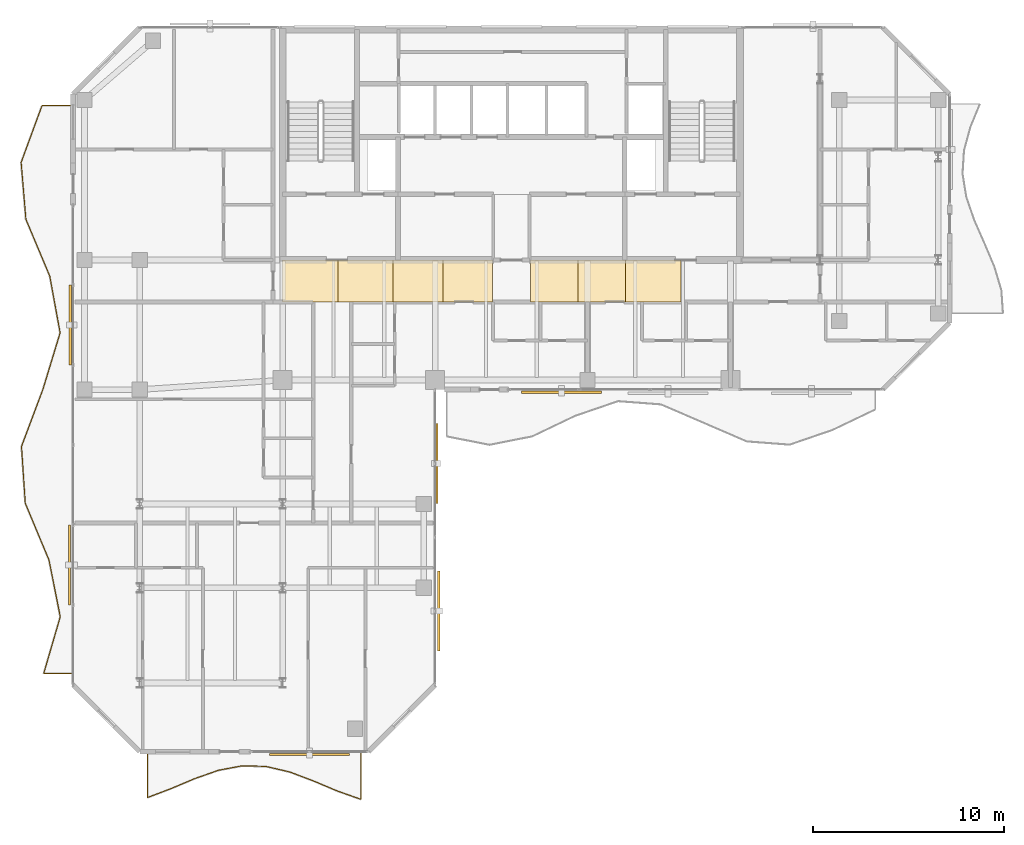
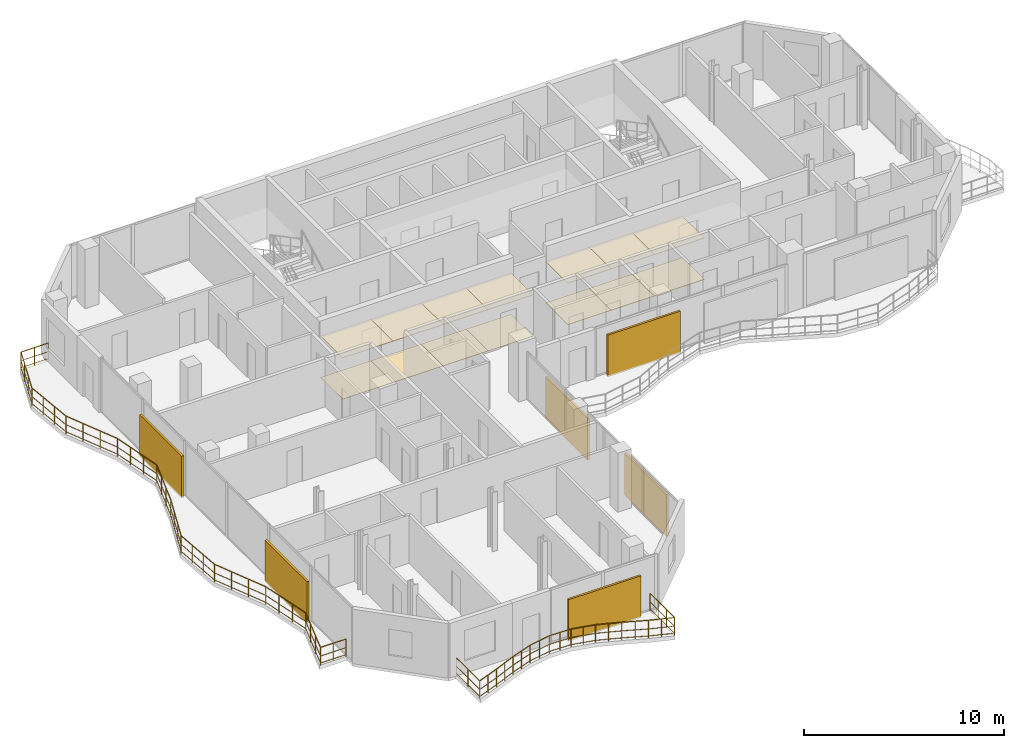
# One storey, part 22 of 24: 14 coverings, 6 shading devices, 2 railings.
"""IFC4 building model written with IfcOpenShell, lengths in metres."""

from ifc_helpers import new_model, si_unit, direction, frame, origin, origin_2d, place, context, subcontext, project, spatial, polyline, rectangle, circle, outline, extrude, material, layer, layer_set, type_object, element, save


model = new_model("IFC4")

# Units and contexts
model_context = context("Model", 3, precision=1e-05, world=origin(), true_north=direction((0.0, 1.0)))
body_context = subcontext(model_context, "Body", "Model", "MODEL_VIEW")
ifc_project = project(units=[si_unit("LENGTHUNIT", "METRE"), si_unit("AREAUNIT", "SQUARE_METRE"), si_unit("VOLUMEUNIT", "CUBIC_METRE"), si_unit("PLANEANGLEUNIT", "RADIAN"), si_unit("MASSUNIT", "GRAM", prefix="KILO")], contexts=[model_context])

# Site, building, storey
site_placement = place(None, origin())
site = spatial("IfcSite", under=ifc_project, at=site_placement, CompositionType="ELEMENT")
building_placement = place(site_placement, origin())
building = spatial("IfcBuilding", under=site, at=building_placement, Name="Catumbela Crestline Tower", CompositionType="ELEMENT")
storey_placement = place(building_placement, frame((0.0, 0.0, 157.8)))
storey = spatial("IfcBuildingStorey", under=building, at=storey_placement, Name="L40", CompositionType="ELEMENT", Elevation=157.8)

# Coverings
ifc_material_1 = material(Name="Mineral-fibre acoustic ceiling")
ifc_layer_1 = layer(ifc_material_1, 0.03, Name="Mineral-fibre acoustic ceiling")
ifc_layer_set_1 = layer_set([ifc_layer_1], Name="Mineral-fibre acoustic ceiling")
covering_type_1 = type_object("IfcCoveringType", Name="CC-AC", PredefinedType="CEILING", material=ifc_layer_set_1)
covering_1_placement = place(storey_placement, frame((0.0, 0.0, 2.52)))
element("IfcCovering", 1, at=covering_1_placement, inside=storey, type_object=covering_type_1, Name="L40 Corridor Acoustic Ceiling Bay 1", PredefinedType="CEILING", context=body_context, shape_type="SweptSolid", body=[
    extrude(outline(polyline([(16.0, 28.6), (18.9, 28.6), (18.9, 30.8), (16.0, 30.8), (16.0, 28.6)])), origin(), (0.0, 0.0, 1.0), 0.03),
])
covering_2_placement = place(storey_placement, frame((0.0, 0.0, 2.52)))
element("IfcCovering", 2, at=covering_2_placement, inside=storey, type_object=covering_type_1, Name="L40 Corridor Acoustic Ceiling Bay 2", PredefinedType="CEILING", context=body_context, shape_type="SweptSolid", body=[
    extrude(outline(polyline([(18.9, 28.6), (21.8, 28.6), (21.8, 30.8), (18.9, 30.8), (18.9, 28.6)])), origin(), (0.0, 0.0, 1.0), 0.03),
])
covering_3_placement = place(storey_placement, frame((0.0, 0.0, 2.52)))
element("IfcCovering", 3, at=covering_3_placement, inside=storey, type_object=covering_type_1, Name="L40 Corridor Acoustic Ceiling Bay 3", PredefinedType="CEILING", context=body_context, shape_type="SweptSolid", body=[
    extrude(outline(polyline([(21.8, 28.6), (24.4, 28.6), (24.4, 30.8), (21.8, 30.8), (21.8, 28.6)])), origin(), (0.0, 0.0, 1.0), 0.03),
])
covering_4_placement = place(storey_placement, frame((0.0, 0.0, 2.52)))
element("IfcCovering", 4, at=covering_4_placement, inside=storey, type_object=covering_type_1, Name="L40 Corridor Acoustic Ceiling Bay 4", PredefinedType="CEILING", context=body_context, shape_type="SweptSolid", body=[
    extrude(outline(polyline([(24.4, 28.6), (27.0, 28.6), (27.0, 30.8), (24.4, 30.8), (24.4, 28.6)])), origin(), (0.0, 0.0, 1.0), 0.03),
])
covering_5_placement = place(storey_placement, frame((0.0, 0.0, 2.52)))
element("IfcCovering", 5, at=covering_5_placement, inside=storey, type_object=covering_type_1, Name="L40 Corridor Acoustic Ceiling Bay 5", PredefinedType="CEILING", context=body_context, shape_type="SweptSolid", body=[
    extrude(outline(polyline([(29.0, 28.6), (31.5, 28.6), (31.5, 30.8), (29.0, 30.8), (29.0, 28.6)])), origin(), (0.0, 0.0, 1.0), 0.03),
])
covering_6_placement = place(storey_placement, frame((0.0, 0.0, 2.52)))
element("IfcCovering", 6, at=covering_6_placement, inside=storey, type_object=covering_type_1, Name="L40 Corridor Acoustic Ceiling Bay 6", PredefinedType="CEILING", context=body_context, shape_type="SweptSolid", body=[
    extrude(outline(polyline([(31.5, 28.6), (34.0, 28.6), (34.0, 30.8), (31.5, 30.8), (31.5, 28.6)])), origin(), (0.0, 0.0, 1.0), 0.03),
])
covering_7_placement = place(storey_placement, frame((0.0, 0.0, 2.52)))
element("IfcCovering", 7, at=covering_7_placement, inside=storey, type_object=covering_type_1, Name="L40 Corridor Acoustic Ceiling Bay 7", PredefinedType="CEILING", context=body_context, shape_type="SweptSolid", body=[
    extrude(outline(polyline([(34.0, 28.6), (36.9, 28.6), (36.9, 30.8), (34.0, 30.8), (34.0, 28.6)])), origin(), (0.0, 0.0, 1.0), 0.03),
])
ifc_material_2 = material(Name="Angolan grey-ochre granite", Category="masonry")
ifc_layer_2 = layer(ifc_material_2, 0.025, Name="Angolan grey-ochre granite")
ifc_layer_set_2 = layer_set([ifc_layer_2], Name="Angolan grey-ochre granite")
covering_type_2 = type_object("IfcCoveringType", Name="CF-GR", PredefinedType="FLOORING", material=ifc_layer_set_2)
covering_8_placement = place(storey_placement, origin())
element("IfcCovering", 8, at=covering_8_placement, inside=storey, type_object=covering_type_2, Name="L40 Corridor Granite Flooring Bay 1", PredefinedType="FLOORING", context=body_context, shape_type="SweptSolid", body=[
    extrude(outline(polyline([(16.0, 28.6), (18.9, 28.6), (18.9, 30.8), (16.0, 30.8), (16.0, 28.6)])), origin(), (0.0, 0.0, 1.0), 0.025),
])
covering_9_placement = place(storey_placement, origin())
element("IfcCovering", 9, at=covering_9_placement, inside=storey, type_object=covering_type_2, Name="L40 Corridor Granite Flooring Bay 2", PredefinedType="FLOORING", context=body_context, shape_type="SweptSolid", body=[
    extrude(outline(polyline([(18.9, 28.6), (21.8, 28.6), (21.8, 30.8), (18.9, 30.8), (18.9, 28.6)])), origin(), (0.0, 0.0, 1.0), 0.025),
])
covering_10_placement = place(storey_placement, origin())
element("IfcCovering", 10, at=covering_10_placement, inside=storey, type_object=covering_type_2, Name="L40 Corridor Granite Flooring Bay 3", PredefinedType="FLOORING", context=body_context, shape_type="SweptSolid", body=[
    extrude(outline(polyline([(21.8, 28.6), (24.4, 28.6), (24.4, 30.8), (21.8, 30.8), (21.8, 28.6)])), origin(), (0.0, 0.0, 1.0), 0.025),
])
covering_11_placement = place(storey_placement, origin())
element("IfcCovering", 11, at=covering_11_placement, inside=storey, type_object=covering_type_2, Name="L40 Corridor Granite Flooring Bay 4", PredefinedType="FLOORING", context=body_context, shape_type="SweptSolid", body=[
    extrude(outline(polyline([(24.4, 28.6), (27.0, 28.6), (27.0, 30.8), (24.4, 30.8), (24.4, 28.6)])), origin(), (0.0, 0.0, 1.0), 0.025),
])
covering_12_placement = place(storey_placement, origin())
element("IfcCovering", 12, at=covering_12_placement, inside=storey, type_object=covering_type_2, Name="L40 Corridor Granite Flooring Bay 5", PredefinedType="FLOORING", context=body_context, shape_type="SweptSolid", body=[
    extrude(outline(polyline([(29.0, 28.6), (31.5, 28.6), (31.5, 30.8), (29.0, 30.8), (29.0, 28.6)])), origin(), (0.0, 0.0, 1.0), 0.025),
])
covering_13_placement = place(storey_placement, origin())
element("IfcCovering", 13, at=covering_13_placement, inside=storey, type_object=covering_type_2, Name="L40 Corridor Granite Flooring Bay 6", PredefinedType="FLOORING", context=body_context, shape_type="SweptSolid", body=[
    extrude(outline(polyline([(31.5, 28.6), (34.0, 28.6), (34.0, 30.8), (31.5, 30.8), (31.5, 28.6)])), origin(), (0.0, 0.0, 1.0), 0.025),
])
covering_14_placement = place(storey_placement, origin())
element("IfcCovering", 14, at=covering_14_placement, inside=storey, type_object=covering_type_2, Name="L40 Corridor Granite Flooring Bay 7", PredefinedType="FLOORING", context=body_context, shape_type="SweptSolid", body=[
    extrude(outline(polyline([(34.0, 28.6), (36.9, 28.6), (36.9, 30.8), (34.0, 30.8), (34.0, 28.6)])), origin(), (0.0, 0.0, 1.0), 0.025),
])

# Railings
ifc_material_3 = material(Name="Stainless steel EN 1.4401", Category="steel")
railing_type = type_object("IfcRailingType", Name="RB-1100", PredefinedType="BALUSTRADE", material=ifc_material_3)
railing_1_placement = place(storey_placement, frame((8.9, 4.94, 0.0)))
element("IfcRailing", 15, at=railing_1_placement, inside=storey, type_object=railing_type, Name="L40 Private Wave Balcony Balustrade 3", PredefinedType="BALUSTRADE", context=body_context, shape_type="SweptSolid", body=[
    extrude(circle(Radius=0.024, at=origin_2d()), frame((0.0, 0.0, 1.076), z_axis=(0.0, -1.0, 0.0), x_axis=(1.0, 0.0, 0.0)), (0.0, 0.0, 1.0), 2.3474),
    extrude(circle(Radius=0.0156, at=origin_2d()), frame((0.0, 0.0, 0.55), z_axis=(0.0, -1.0, 0.0), x_axis=(1.0, 0.0, 0.0)), (0.0, 0.0, 1.0), 2.3474),
    extrude(circle(Radius=0.0156, at=origin_2d()), frame((0.0, 0.0, 0.12), z_axis=(0.0, -1.0, 0.0), x_axis=(1.0, 0.0, 0.0)), (0.0, 0.0, 1.0), 2.3474),
    extrude(circle(Radius=0.024, at=origin_2d()), frame((0.0, -2.3474, 1.076), z_axis=(0.934801539035, 0.355170497955, 0.0), x_axis=(-0.355170497955, 0.934801539035, 0.0)), (0.0, 0.0, 1.0), 1.3312),
    extrude(circle(Radius=0.0156, at=origin_2d()), frame((0.0, -2.3474, 0.55), z_axis=(0.934801539035, 0.355170497955, 0.0), x_axis=(-0.355170497955, 0.934801539035, 0.0)), (0.0, 0.0, 1.0), 1.3312),
    extrude(circle(Radius=0.0156, at=origin_2d()), frame((0.0, -2.3474, 0.12), z_axis=(0.934801539035, 0.355170497955, 0.0), x_axis=(-0.355170497955, 0.934801539035, 0.0)), (0.0, 0.0, 1.0), 1.3312),
    extrude(circle(Radius=0.024, at=origin_2d()), frame((1.2444, -1.8746, 1.076), z_axis=(0.921529408365, 0.388308575128, 0.0), x_axis=(-0.388308575128, 0.921529408365, 0.0)), (0.0, 0.0, 1.0), 1.3505),
    extrude(circle(Radius=0.0156, at=origin_2d()), frame((1.2444, -1.8746, 0.55), z_axis=(0.921529408365, 0.388308575128, 0.0), x_axis=(-0.388308575128, 0.921529408365, 0.0)), (0.0, 0.0, 1.0), 1.3505),
    extrude(circle(Radius=0.0156, at=origin_2d()), frame((1.2444, -1.8746, 0.12), z_axis=(0.921529408365, 0.388308575128, 0.0), x_axis=(-0.388308575128, 0.921529408365, 0.0)), (0.0, 0.0, 1.0), 1.3505),
    extrude(circle(Radius=0.024, at=origin_2d()), frame((2.4889, -1.3502, 1.076), z_axis=(0.943536380972, 0.331268920642, 0.0), x_axis=(-0.331268920642, 0.943536380972, 0.0)), (0.0, 0.0, 1.0), 1.3189),
    extrude(circle(Radius=0.0156, at=origin_2d()), frame((2.4889, -1.3502, 0.55), z_axis=(0.943536380972, 0.331268920642, 0.0), x_axis=(-0.331268920642, 0.943536380972, 0.0)), (0.0, 0.0, 1.0), 1.3189),
    extrude(circle(Radius=0.0156, at=origin_2d()), frame((2.4889, -1.3502, 0.12), z_axis=(0.943536380972, 0.331268920642, 0.0), x_axis=(-0.331268920642, 0.943536380972, 0.0)), (0.0, 0.0, 1.0), 1.3189),
    extrude(circle(Radius=0.024, at=origin_2d()), frame((3.7333, -0.9133, 1.076), z_axis=(0.982892745139, 0.184178857506, 0.0), x_axis=(-0.184178857506, 0.982892745139, 0.0)), (0.0, 0.0, 1.0), 1.2662),
    extrude(circle(Radius=0.0156, at=origin_2d()), frame((3.7333, -0.9133, 0.55), z_axis=(0.982892745139, 0.184178857506, 0.0), x_axis=(-0.184178857506, 0.982892745139, 0.0)), (0.0, 0.0, 1.0), 1.2662),
    extrude(circle(Radius=0.0156, at=origin_2d()), frame((3.7333, -0.9133, 0.12), z_axis=(0.982892745139, 0.184178857506, 0.0), x_axis=(-0.184178857506, 0.982892745139, 0.0)), (0.0, 0.0, 1.0), 1.2662),
    extrude(circle(Radius=0.024, at=origin_2d()), frame((4.9778, -0.6801, 1.076), z_axis=(0.999661218817, -0.026027823441, 0.0), x_axis=(0.026027823441, 0.999661218817, 0.0)), (0.0, 0.0, 1.0), 1.2448),
    extrude(circle(Radius=0.0156, at=origin_2d()), frame((4.9778, -0.6801, 0.55), z_axis=(0.999661218817, -0.026027823441, 0.0), x_axis=(0.026027823441, 0.999661218817, 0.0)), (0.0, 0.0, 1.0), 1.2448),
    extrude(circle(Radius=0.0156, at=origin_2d()), frame((4.9778, -0.6801, 0.12), z_axis=(0.999661218817, -0.026027823441, 0.0), x_axis=(0.026027823441, 0.999661218817, 0.0)), (0.0, 0.0, 1.0), 1.2448),
    extrude(circle(Radius=0.024, at=origin_2d()), frame((6.2222, -0.7125, 1.076), z_axis=(0.974011239471, -0.226499680758, 0.0), x_axis=(0.226499680758, 0.974011239471, 0.0)), (0.0, 0.0, 1.0), 1.2777),
    extrude(circle(Radius=0.0156, at=origin_2d()), frame((6.2222, -0.7125, 0.55), z_axis=(0.974011239471, -0.226499680758, 0.0), x_axis=(0.226499680758, 0.974011239471, 0.0)), (0.0, 0.0, 1.0), 1.2777),
    extrude(circle(Radius=0.0156, at=origin_2d()), frame((6.2222, -0.7125, 0.12), z_axis=(0.974011239471, -0.226499680758, 0.0), x_axis=(0.226499680758, 0.974011239471, 0.0)), (0.0, 0.0, 1.0), 1.2777),
    extrude(circle(Radius=0.024, at=origin_2d()), frame((7.4667, -1.0019, 1.076), z_axis=(0.935622804223, -0.35300137141, 0.0), x_axis=(0.35300137141, 0.935622804223, 0.0)), (0.0, 0.0, 1.0), 1.33),
    extrude(circle(Radius=0.0156, at=origin_2d()), frame((7.4667, -1.0019, 0.55), z_axis=(0.935622804223, -0.35300137141, 0.0), x_axis=(0.35300137141, 0.935622804223, 0.0)), (0.0, 0.0, 1.0), 1.33),
    extrude(circle(Radius=0.0156, at=origin_2d()), frame((7.4667, -1.0019, 0.12), z_axis=(0.935622804223, -0.35300137141, 0.0), x_axis=(0.35300137141, 0.935622804223, 0.0)), (0.0, 0.0, 1.0), 1.33),
    extrude(circle(Radius=0.024, at=origin_2d()), frame((8.7111, -1.4714, 1.076), z_axis=(0.921396887645, -0.388622921916, 0.0), x_axis=(0.388622921916, 0.921396887645, 0.0)), (0.0, 0.0, 1.0), 1.3507),
    extrude(circle(Radius=0.0156, at=origin_2d()), frame((8.7111, -1.4714, 0.55), z_axis=(0.921396887645, -0.388622921916, 0.0), x_axis=(0.388622921916, 0.921396887645, 0.0)), (0.0, 0.0, 1.0), 1.3507),
    extrude(circle(Radius=0.0156, at=origin_2d()), frame((8.7111, -1.4714, 0.12), z_axis=(0.921396887645, -0.388622921916, 0.0), x_axis=(0.388622921916, 0.921396887645, 0.0)), (0.0, 0.0, 1.0), 1.3507),
    extrude(circle(Radius=0.024, at=origin_2d()), frame((9.9556, -1.9963, 1.076), z_axis=(0.94258550336, -0.333964921594, 0.0), x_axis=(0.333964921594, 0.94258550336, 0.0)), (0.0, 0.0, 1.0), 1.3202),
    extrude(circle(Radius=0.0156, at=origin_2d()), frame((9.9556, -1.9963, 0.55), z_axis=(0.94258550336, -0.333964921594, 0.0), x_axis=(0.333964921594, 0.94258550336, 0.0)), (0.0, 0.0, 1.0), 1.3202),
    extrude(circle(Radius=0.0156, at=origin_2d()), frame((9.9556, -1.9963, 0.12), z_axis=(0.94258550336, -0.333964921594, 0.0), x_axis=(0.333964921594, 0.94258550336, 0.0)), (0.0, 0.0, 1.0), 1.3202),
    extrude(circle(Radius=0.024, at=origin_2d()), frame((11.2, -2.4372, 1.076), z_axis=(0.0, 1.0, 0.0), x_axis=(-1.0, 0.0, 0.0)), (0.0, 0.0, 1.0), 2.4372),
    extrude(circle(Radius=0.0156, at=origin_2d()), frame((11.2, -2.4372, 0.55), z_axis=(0.0, 1.0, 0.0), x_axis=(-1.0, 0.0, 0.0)), (0.0, 0.0, 1.0), 2.4372),
    extrude(circle(Radius=0.0156, at=origin_2d()), frame((11.2, -2.4372, 0.12), z_axis=(0.0, 1.0, 0.0), x_axis=(-1.0, 0.0, 0.0)), (0.0, 0.0, 1.0), 2.4372),
    extrude(circle(Radius=0.021, at=origin_2d()), origin(), (0.0, 0.0, 1.0), 1.052),
    extrude(circle(Radius=0.021, at=origin_2d()), frame((0.0, -1.1737, 0.0)), (0.0, 0.0, 1.0), 1.052),
    extrude(circle(Radius=0.021, at=origin_2d()), frame((0.0, -2.3474, 0.0)), (0.0, 0.0, 1.0), 1.052),
    extrude(circle(Radius=0.021, at=origin_2d()), frame((0.6222, -2.111, 0.0)), (0.0, 0.0, 1.0), 1.052),
    extrude(circle(Radius=0.021, at=origin_2d()), frame((1.2444, -1.8746, 0.0)), (0.0, 0.0, 1.0), 1.052),
    extrude(circle(Radius=0.021, at=origin_2d()), frame((1.8666, -1.6124, 0.0)), (0.0, 0.0, 1.0), 1.052),
    extrude(circle(Radius=0.021, at=origin_2d()), frame((2.4889, -1.3502, 0.0)), (0.0, 0.0, 1.0), 1.052),
    extrude(circle(Radius=0.021, at=origin_2d()), frame((3.1111, -1.1318, 0.0)), (0.0, 0.0, 1.0), 1.052),
    extrude(circle(Radius=0.021, at=origin_2d()), frame((3.7333, -0.9133, 0.0)), (0.0, 0.0, 1.0), 1.052),
    extrude(circle(Radius=0.021, at=origin_2d()), frame((4.3556, -0.7967, 0.0)), (0.0, 0.0, 1.0), 1.052),
    extrude(circle(Radius=0.021, at=origin_2d()), frame((4.9778, -0.6801, 0.0)), (0.0, 0.0, 1.0), 1.052),
    extrude(circle(Radius=0.021, at=origin_2d()), frame((5.6, -0.6963, 0.0)), (0.0, 0.0, 1.0), 1.052),
    extrude(circle(Radius=0.021, at=origin_2d()), frame((6.2222, -0.7125, 0.0)), (0.0, 0.0, 1.0), 1.052),
    extrude(circle(Radius=0.021, at=origin_2d()), frame((6.8444, -0.8572, 0.0)), (0.0, 0.0, 1.0), 1.052),
    extrude(circle(Radius=0.021, at=origin_2d()), frame((7.4667, -1.0019, 0.0)), (0.0, 0.0, 1.0), 1.052),
    extrude(circle(Radius=0.021, at=origin_2d()), frame((8.0889, -1.2367, 0.0)), (0.0, 0.0, 1.0), 1.052),
    extrude(circle(Radius=0.021, at=origin_2d()), frame((8.7111, -1.4714, 0.0)), (0.0, 0.0, 1.0), 1.052),
    extrude(circle(Radius=0.021, at=origin_2d()), frame((9.3334, -1.7339, 0.0)), (0.0, 0.0, 1.0), 1.052),
    extrude(circle(Radius=0.021, at=origin_2d()), frame((9.9556, -1.9963, 0.0)), (0.0, 0.0, 1.0), 1.052),
    extrude(circle(Radius=0.021, at=origin_2d()), frame((10.5778, -2.2168, 0.0)), (0.0, 0.0, 1.0), 1.052),
    extrude(circle(Radius=0.021, at=origin_2d()), frame((11.2, -2.4372, 0.0)), (0.0, 0.0, 1.0), 1.052),
    extrude(circle(Radius=0.021, at=origin_2d()), frame((11.2, -1.6248, 0.0)), (0.0, 0.0, 1.0), 1.052),
    extrude(circle(Radius=0.021, at=origin_2d()), frame((11.2, -0.8124, 0.0)), (0.0, 0.0, 1.0), 1.052),
    extrude(circle(Radius=0.021, at=origin_2d()), frame((11.2, 0.0, 0.0)), (0.0, 0.0, 1.0), 1.052),
])
railing_2_placement = place(storey_placement, frame((4.94, 38.9, 0.0)))
element("IfcRailing", 16, at=railing_2_placement, inside=storey, type_object=railing_type, Name="L40 Private Wave Balcony Balustrade 4", PredefinedType="BALUSTRADE", context=body_context, shape_type="SweptSolid", body=[
    extrude(circle(Radius=0.024, at=origin_2d()), frame((0.0, 0.0, 1.076), z_axis=(-1.0, 0.0, 0.0), x_axis=(0.0, -1.0, 0.0)), (0.0, 0.0, 1.0), 1.569),
    extrude(circle(Radius=0.0156, at=origin_2d()), frame((0.0, 0.0, 0.55), z_axis=(-1.0, 0.0, 0.0), x_axis=(0.0, -1.0, 0.0)), (0.0, 0.0, 1.0), 1.569),
    extrude(circle(Radius=0.0156, at=origin_2d()), frame((0.0, 0.0, 0.12), z_axis=(-1.0, 0.0, 0.0), x_axis=(0.0, -1.0, 0.0)), (0.0, 0.0, 1.0), 1.569),
    extrude(circle(Radius=0.024, at=origin_2d()), frame((-1.569, 0.0, 1.076), z_axis=(-0.344819161889, -0.938669135316, 0.0), x_axis=(0.938669135316, -0.344819161889, 0.0)), (0.0, 0.0, 1.0), 3.1747),
    extrude(circle(Radius=0.0156, at=origin_2d()), frame((-1.569, 0.0, 0.55), z_axis=(-0.344819161889, -0.938669135316, 0.0), x_axis=(0.938669135316, -0.344819161889, 0.0)), (0.0, 0.0, 1.0), 3.1747),
    extrude(circle(Radius=0.0156, at=origin_2d()), frame((-1.569, 0.0, 0.12), z_axis=(-0.344819161889, -0.938669135316, 0.0), x_axis=(0.938669135316, -0.344819161889, 0.0)), (0.0, 0.0, 1.0), 3.1747),
    extrude(circle(Radius=0.024, at=origin_2d()), frame((-2.6637, -2.98, 1.076), z_axis=(0.083300085581, -0.99652450835, 0.0), x_axis=(0.99652450835, 0.083300085581, 0.0)), (0.0, 0.0, 1.0), 2.9904),
    extrude(circle(Radius=0.0156, at=origin_2d()), frame((-2.6637, -2.98, 0.55), z_axis=(0.083300085581, -0.99652450835, 0.0), x_axis=(0.99652450835, 0.083300085581, 0.0)), (0.0, 0.0, 1.0), 2.9904),
    extrude(circle(Radius=0.0156, at=origin_2d()), frame((-2.6637, -2.98, 0.12), z_axis=(0.083300085581, -0.99652450835, 0.0), x_axis=(0.99652450835, 0.083300085581, 0.0)), (0.0, 0.0, 1.0), 2.9904),
    extrude(circle(Radius=0.024, at=origin_2d()), frame((-2.4146, -5.96, 1.076), z_axis=(0.387495434342, -0.921871622496, 0.0), x_axis=(0.921871622496, 0.387495434342, 0.0)), (0.0, 0.0, 1.0), 3.2326),
    extrude(circle(Radius=0.0156, at=origin_2d()), frame((-2.4146, -5.96, 0.55), z_axis=(0.387495434342, -0.921871622496, 0.0), x_axis=(0.921871622496, 0.387495434342, 0.0)), (0.0, 0.0, 1.0), 3.2326),
    extrude(circle(Radius=0.0156, at=origin_2d()), frame((-2.4146, -5.96, 0.12), z_axis=(0.387495434342, -0.921871622496, 0.0), x_axis=(0.921871622496, 0.387495434342, 0.0)), (0.0, 0.0, 1.0), 3.2326),
    extrude(circle(Radius=0.024, at=origin_2d()), frame((-1.162, -8.94, 1.076), z_axis=(0.179902036769, -0.983684531324, 0.0), x_axis=(0.983684531324, 0.179902036769, 0.0)), (0.0, 0.0, 1.0), 3.0294),
    extrude(circle(Radius=0.0156, at=origin_2d()), frame((-1.162, -8.94, 0.55), z_axis=(0.179902036769, -0.983684531324, 0.0), x_axis=(0.983684531324, 0.179902036769, 0.0)), (0.0, 0.0, 1.0), 3.0294),
    extrude(circle(Radius=0.0156, at=origin_2d()), frame((-1.162, -8.94, 0.12), z_axis=(0.179902036769, -0.983684531324, 0.0), x_axis=(0.983684531324, 0.179902036769, 0.0)), (0.0, 0.0, 1.0), 3.0294),
    extrude(circle(Radius=0.024, at=origin_2d()), frame((-0.617, -11.92, 1.076), z_axis=(-0.291203771148, -0.95666104952, 0.0), x_axis=(0.95666104952, -0.291203771148, 0.0)), (0.0, 0.0, 1.0), 3.115),
    extrude(circle(Radius=0.0156, at=origin_2d()), frame((-0.617, -11.92, 0.55), z_axis=(-0.291203771148, -0.95666104952, 0.0), x_axis=(0.95666104952, -0.291203771148, 0.0)), (0.0, 0.0, 1.0), 3.115),
    extrude(circle(Radius=0.0156, at=origin_2d()), frame((-0.617, -11.92, 0.12), z_axis=(-0.291203771148, -0.95666104952, 0.0), x_axis=(0.95666104952, -0.291203771148, 0.0)), (0.0, 0.0, 1.0), 3.115),
    extrude(circle(Radius=0.024, at=origin_2d()), frame((-1.5241, -14.9, 1.076), z_axis=(-0.35183934725, -0.936060400683, 0.0), x_axis=(0.936060400683, -0.35183934725, 0.0)), (0.0, 0.0, 1.0), 3.1836),
    extrude(circle(Radius=0.0156, at=origin_2d()), frame((-1.5241, -14.9, 0.55), z_axis=(-0.35183934725, -0.936060400683, 0.0), x_axis=(0.936060400683, -0.35183934725, 0.0)), (0.0, 0.0, 1.0), 3.1836),
    extrude(circle(Radius=0.0156, at=origin_2d()), frame((-1.5241, -14.9, 0.12), z_axis=(-0.35183934725, -0.936060400683, 0.0), x_axis=(0.936060400683, -0.35183934725, 0.0)), (0.0, 0.0, 1.0), 3.1836),
    extrude(circle(Radius=0.024, at=origin_2d()), frame((-2.6442, -17.88, 1.076), z_axis=(0.065996741667, -0.997819838493, 0.0), x_axis=(0.997819838493, 0.065996741667, 0.0)), (0.0, 0.0, 1.0), 2.9865),
    extrude(circle(Radius=0.0156, at=origin_2d()), frame((-2.6442, -17.88, 0.55), z_axis=(0.065996741667, -0.997819838493, 0.0), x_axis=(0.997819838493, 0.065996741667, 0.0)), (0.0, 0.0, 1.0), 2.9865),
    extrude(circle(Radius=0.0156, at=origin_2d()), frame((-2.6442, -17.88, 0.12), z_axis=(0.065996741667, -0.997819838493, 0.0), x_axis=(0.997819838493, 0.065996741667, 0.0)), (0.0, 0.0, 1.0), 2.9865),
    extrude(circle(Radius=0.024, at=origin_2d()), frame((-2.4471, -20.86, 1.076), z_axis=(0.385494644626, -0.922710073081, 0.0), x_axis=(0.922710073081, 0.385494644626, 0.0)), (0.0, 0.0, 1.0), 3.2296),
    extrude(circle(Radius=0.0156, at=origin_2d()), frame((-2.4471, -20.86, 0.55), z_axis=(0.385494644626, -0.922710073081, 0.0), x_axis=(0.922710073081, 0.385494644626, 0.0)), (0.0, 0.0, 1.0), 3.2296),
    extrude(circle(Radius=0.0156, at=origin_2d()), frame((-2.4471, -20.86, 0.12), z_axis=(0.385494644626, -0.922710073081, 0.0), x_axis=(0.922710073081, 0.385494644626, 0.0)), (0.0, 0.0, 1.0), 3.2296),
    extrude(circle(Radius=0.024, at=origin_2d()), frame((-1.2021, -23.84, 1.076), z_axis=(0.194913381251, -0.980820459518, 0.0), x_axis=(0.980820459518, 0.194913381251, 0.0)), (0.0, 0.0, 1.0), 3.0383),
    extrude(circle(Radius=0.0156, at=origin_2d()), frame((-1.2021, -23.84, 0.55), z_axis=(0.194913381251, -0.980820459518, 0.0), x_axis=(0.980820459518, 0.194913381251, 0.0)), (0.0, 0.0, 1.0), 3.0383),
    extrude(circle(Radius=0.0156, at=origin_2d()), frame((-1.2021, -23.84, 0.12), z_axis=(0.194913381251, -0.980820459518, 0.0), x_axis=(0.980820459518, 0.194913381251, 0.0)), (0.0, 0.0, 1.0), 3.0383),
    extrude(circle(Radius=0.024, at=origin_2d()), frame((-0.6099, -26.82, 1.076), z_axis=(-0.280128645342, -0.959962469089, 0.0), x_axis=(0.959962469089, -0.280128645342, 0.0)), (0.0, 0.0, 1.0), 3.1043),
    extrude(circle(Radius=0.0156, at=origin_2d()), frame((-0.6099, -26.82, 0.55), z_axis=(-0.280128645342, -0.959962469089, 0.0), x_axis=(0.959962469089, -0.280128645342, 0.0)), (0.0, 0.0, 1.0), 3.1043),
    extrude(circle(Radius=0.0156, at=origin_2d()), frame((-0.6099, -26.82, 0.12), z_axis=(-0.280128645342, -0.959962469089, 0.0), x_axis=(0.959962469089, -0.280128645342, 0.0)), (0.0, 0.0, 1.0), 3.1043),
    extrude(circle(Radius=0.024, at=origin_2d()), frame((-1.4795, -29.8, 1.076), z_axis=(1.0, 0.0, 0.0), x_axis=(0.0, 1.0, 0.0)), (0.0, 0.0, 1.0), 1.4795),
    extrude(circle(Radius=0.0156, at=origin_2d()), frame((-1.4795, -29.8, 0.55), z_axis=(1.0, 0.0, 0.0), x_axis=(0.0, 1.0, 0.0)), (0.0, 0.0, 1.0), 1.4795),
    extrude(circle(Radius=0.0156, at=origin_2d()), frame((-1.4795, -29.8, 0.12), z_axis=(1.0, 0.0, 0.0), x_axis=(0.0, 1.0, 0.0)), (0.0, 0.0, 1.0), 1.4795),
    extrude(circle(Radius=0.021, at=origin_2d()), origin(), (0.0, 0.0, 1.0), 1.052),
    extrude(circle(Radius=0.021, at=origin_2d()), frame((-0.7845, 0.0, 0.0)), (0.0, 0.0, 1.0), 1.052),
    extrude(circle(Radius=0.021, at=origin_2d()), frame((-1.569, 0.0, 0.0)), (0.0, 0.0, 1.0), 1.052),
    extrude(circle(Radius=0.021, at=origin_2d()), frame((-1.9339, -0.9933, 0.0)), (0.0, 0.0, 1.0), 1.052),
    extrude(circle(Radius=0.021, at=origin_2d()), frame((-2.2988, -1.9867, 0.0)), (0.0, 0.0, 1.0), 1.052),
    extrude(circle(Radius=0.021, at=origin_2d()), frame((-2.6637, -2.98, 0.0)), (0.0, 0.0, 1.0), 1.052),
    extrude(circle(Radius=0.021, at=origin_2d()), frame((-2.5807, -3.9733, 0.0)), (0.0, 0.0, 1.0), 1.052),
    extrude(circle(Radius=0.021, at=origin_2d()), frame((-2.4976, -4.9667, 0.0)), (0.0, 0.0, 1.0), 1.052),
    extrude(circle(Radius=0.021, at=origin_2d()), frame((-2.4146, -5.96, 0.0)), (0.0, 0.0, 1.0), 1.052),
    extrude(circle(Radius=0.021, at=origin_2d()), frame((-1.9971, -6.9533, 0.0)), (0.0, 0.0, 1.0), 1.052),
    extrude(circle(Radius=0.021, at=origin_2d()), frame((-1.5795, -7.9467, 0.0)), (0.0, 0.0, 1.0), 1.052),
    extrude(circle(Radius=0.021, at=origin_2d()), frame((-1.162, -8.94, 0.0)), (0.0, 0.0, 1.0), 1.052),
    extrude(circle(Radius=0.021, at=origin_2d()), frame((-0.9803, -9.9333, 0.0)), (0.0, 0.0, 1.0), 1.052),
    extrude(circle(Radius=0.021, at=origin_2d()), frame((-0.7987, -10.9267, 0.0)), (0.0, 0.0, 1.0), 1.052),
    extrude(circle(Radius=0.021, at=origin_2d()), frame((-0.617, -11.92, 0.0)), (0.0, 0.0, 1.0), 1.052),
    extrude(circle(Radius=0.021, at=origin_2d()), frame((-0.9194, -12.9133, 0.0)), (0.0, 0.0, 1.0), 1.052),
    extrude(circle(Radius=0.021, at=origin_2d()), frame((-1.2217, -13.9067, 0.0)), (0.0, 0.0, 1.0), 1.052),
    extrude(circle(Radius=0.021, at=origin_2d()), frame((-1.5241, -14.9, 0.0)), (0.0, 0.0, 1.0), 1.052),
    extrude(circle(Radius=0.021, at=origin_2d()), frame((-1.8975, -15.8933, 0.0)), (0.0, 0.0, 1.0), 1.052),
    extrude(circle(Radius=0.021, at=origin_2d()), frame((-2.2708, -16.8867, 0.0)), (0.0, 0.0, 1.0), 1.052),
    extrude(circle(Radius=0.021, at=origin_2d()), frame((-2.6442, -17.88, 0.0)), (0.0, 0.0, 1.0), 1.052),
    extrude(circle(Radius=0.021, at=origin_2d()), frame((-2.5785, -18.8733, 0.0)), (0.0, 0.0, 1.0), 1.052),
    extrude(circle(Radius=0.021, at=origin_2d()), frame((-2.5128, -19.8667, 0.0)), (0.0, 0.0, 1.0), 1.052),
    extrude(circle(Radius=0.021, at=origin_2d()), frame((-2.4471, -20.86, 0.0)), (0.0, 0.0, 1.0), 1.052),
    extrude(circle(Radius=0.021, at=origin_2d()), frame((-2.0321, -21.8533, 0.0)), (0.0, 0.0, 1.0), 1.052),
    extrude(circle(Radius=0.021, at=origin_2d()), frame((-1.6171, -22.8467, 0.0)), (0.0, 0.0, 1.0), 1.052),
    extrude(circle(Radius=0.021, at=origin_2d()), frame((-1.2021, -23.84, 0.0)), (0.0, 0.0, 1.0), 1.052),
    extrude(circle(Radius=0.021, at=origin_2d()), frame((-1.0047, -24.8333, 0.0)), (0.0, 0.0, 1.0), 1.052),
    extrude(circle(Radius=0.021, at=origin_2d()), frame((-0.8073, -25.8267, 0.0)), (0.0, 0.0, 1.0), 1.052),
    extrude(circle(Radius=0.021, at=origin_2d()), frame((-0.6099, -26.82, 0.0)), (0.0, 0.0, 1.0), 1.052),
    extrude(circle(Radius=0.021, at=origin_2d()), frame((-0.8998, -27.8133, 0.0)), (0.0, 0.0, 1.0), 1.052),
    extrude(circle(Radius=0.021, at=origin_2d()), frame((-1.1896, -28.8067, 0.0)), (0.0, 0.0, 1.0), 1.052),
    extrude(circle(Radius=0.021, at=origin_2d()), frame((-1.4795, -29.8, 0.0)), (0.0, 0.0, 1.0), 1.052),
    extrude(circle(Radius=0.021, at=origin_2d()), frame((-0.7398, -29.8, 0.0)), (0.0, 0.0, 1.0), 1.052),
    extrude(circle(Radius=0.021, at=origin_2d()), frame((0.0, -29.8, 0.0)), (0.0, 0.0, 1.0), 1.052),
])

# Shading devices
ifc_material_4 = material(Name="Extruded terracotta ceramic", Category="masonry")
shading_device_type_1 = type_object("IfcShadingDeviceType", Name="ST-180", PredefinedType="USERDEFINED", material=ifc_material_4)
shading_device_placement = place(storey_placement, frame((24.099, 20.125, -0.1), z_axis=(0.0, 0.0, 1.0), x_axis=(0.0, 1.0, 0.0)))
element("IfcShadingDevice", 17, at=shading_device_placement, inside=storey, type_object=shading_device_type_1, Name="L40 Perforated Terracotta Solar Screen 434 (180 mm)", ObjectType="SCREEN", PredefinedType="USERDEFINED", context=body_context, shape_type="SweptSolid", body=[
    extrude(rectangle(XDim=4.2, YDim=0.12, at=origin_2d()), origin(), (0.0, 0.0, 1.0), 2.55),
])
shading_device_type_2 = type_object("IfcShadingDeviceType", Name="ST-260", PredefinedType="USERDEFINED", material=ifc_material_4)
for number, where, z_axis, x_axis, name in (
    (18, (17.4, 4.857, -0.1), (0.0, 0.0, 1.0), (1.0, 0.0, 0.0), "L40 Perforated Terracotta Solar Screen 432 (260 mm)"),
    (19, (30.6375, 23.857, -0.1), (0.0, 0.0, 1.0), (1.0, 0.0, 0.0), "L40 Perforated Terracotta Solar Screen 435 (260 mm)"),
    (20, (4.857, 27.4, -0.1), (0.0, 0.0, 1.0), (0.0, -1.0, 0.0), "L40 Perforated Terracotta Solar Screen 441 (260 mm)"),
):
    element("IfcShadingDevice", number, at=place(storey_placement, frame(where, z_axis=z_axis, x_axis=x_axis)), inside=storey, type_object=shading_device_type_2, Name=name, ObjectType="SCREEN", PredefinedType="USERDEFINED", context=body_context, shape_type="SweptSolid", body=[
        extrude(rectangle(XDim=4.2, YDim=0.12, at=origin_2d()), origin(), (0.0, 0.0, 1.0), 2.55),
    ])
shading_device_type_3 = type_object("IfcShadingDeviceType", Name="ST-340", PredefinedType="USERDEFINED", material=ifc_material_4)
for number, where, z_axis, x_axis, name in (
    (21, (24.187, 12.375, -0.1), (0.0, 0.0, 1.0), (0.0, 1.0, 0.0), "L40 Perforated Terracotta Solar Screen 433 (340 mm)"),
    (22, (4.813, 14.8, -0.1), (0.0, 0.0, 1.0), (0.0, -1.0, 0.0), "L40 Perforated Terracotta Solar Screen 442 (340 mm)"),
):
    element("IfcShadingDevice", number, at=place(storey_placement, frame(where, z_axis=z_axis, x_axis=x_axis)), inside=storey, type_object=shading_device_type_3, Name=name, ObjectType="SCREEN", PredefinedType="USERDEFINED", context=body_context, shape_type="SweptSolid", body=[
        extrude(rectangle(XDim=4.2, YDim=0.12, at=origin_2d()), origin(), (0.0, 0.0, 1.0), 2.55),
    ])

save(model, "model.ifc")
